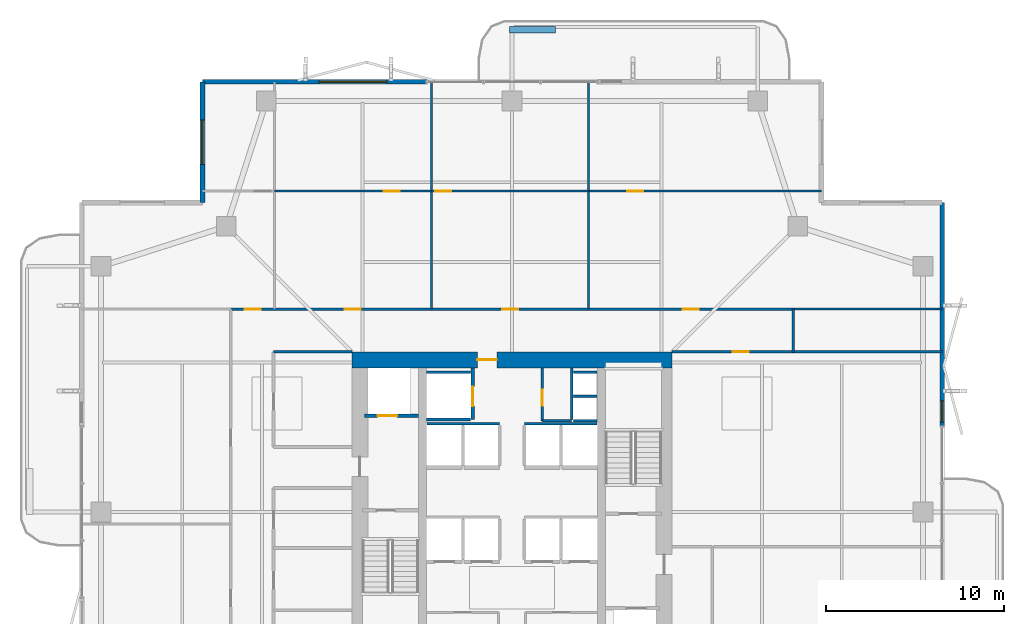
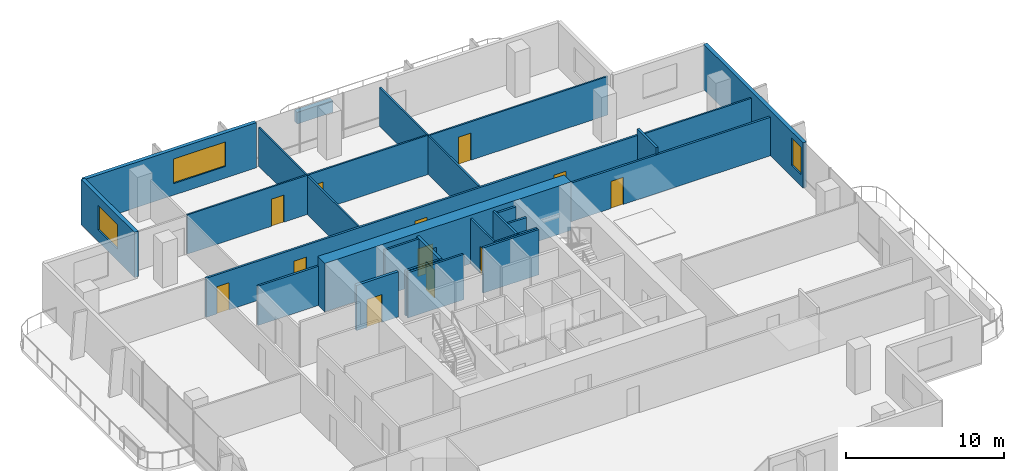
# One storey, part 21 of 25: 27 walls, 12 doors, 3 windows, 15 openings.
"""IFC4 building model written with IfcOpenShell, lengths in metres."""

from ifc_helpers import new_model, si_unit, direction, frame, frame_2d, origin, place, context, subcontext, project, spatial, rectangle, extrude, material, layer, layer_set, type_object, element, fill, save


model = new_model("IFC4")

# Units and contexts
model_context = context("Model", 3, precision=1e-05, world=origin(), true_north=direction((0.0, 1.0)))
body_context = subcontext(model_context, "Body", "Model", "MODEL_VIEW")
ifc_project = project(units=[si_unit("LENGTHUNIT", "METRE"), si_unit("AREAUNIT", "SQUARE_METRE"), si_unit("VOLUMEUNIT", "CUBIC_METRE"), si_unit("PLANEANGLEUNIT", "RADIAN"), si_unit("MASSUNIT", "GRAM", prefix="KILO")], contexts=[model_context])

# Site, building, storey
site_placement = place(None, origin())
site = spatial("IfcSite", under=ifc_project, at=site_placement, CompositionType="ELEMENT")
building_placement = place(site_placement, origin())
building = spatial("IfcBuilding", under=site, at=building_placement, Name="Belovzor Exchange Tower", CompositionType="ELEMENT")
storey_placement = place(building_placement, frame((0.0, 0.0, 183.300048828125)))
storey = spatial("IfcBuildingStorey", under=building, at=storey_placement, Name="L45", CompositionType="ELEMENT", Elevation=183.300048828125)

# Wall, opening, door
ifc_material_1 = material(Name="Acoustic Plasterboard on Galvanised Studs", Category="gypsum")
ifc_layer_1 = layer(ifc_material_1, 0.1201171875)
ifc_layer_set_1 = layer_set([ifc_layer_1], Name="Acoustic Plasterboard on Galvanised Studs")
wall_type_1 = type_object("IfcWallType", Name="Acoustic Double-Stud Partition Wall 120", PredefinedType="PARTITIONING", material=ifc_layer_set_1)
wall_1_placement = place(storey_placement, frame((15.443115234375, 46.833984375, 0.0), z_axis=(0.0, 0.0, 1.0), x_axis=(1.0, 0.0, 0.0)))
wall_1 = element("IfcWall", 1, at=wall_1_placement, inside=storey, type_object=wall_type_1, Name="W-P120 Partition Wall W-L45-NHDIV-1", PredefinedType="PARTITIONING", context=body_context, shape_type="SweptSolid", body=[
    extrude(rectangle(XDim=8.830810546875, YDim=0.1201171875, at=frame_2d((4.41552734375, 0.0))), origin(), (0.0, 0.0, 1.0), 3.030029296875),
])
opening_1_placement = place(wall_1_placement, frame((6.162109375, 0.0, 0.0)))
opening_1 = element("IfcOpeningElement", 2, at=opening_1_placement, cuts=wall_1, Name="Opening D-INT-090", PredefinedType="OPENING", context=body_context, shape_type="SweptSolid", body=[
    extrude(rectangle(XDim=0.89990234375, YDim=2.10009765625, at=frame_2d((0.449951171875, 1.050048828125))), frame((0.0, 0.070068359375, 0.0), z_axis=(0.0, -1.0, 0.0), x_axis=(1.0, 0.0, 0.0)), (0.0, 0.0, 1.0), 0.14013671875),
])
ifc_material_2 = material(Name="Veneered Hardwood Acoustic Leaf", Category="wood")
door_type_1 = type_object("IfcDoorType", Name="Trading Suite Acoustic Single Door 900x2100", OperationType="NOTDEFINED", PredefinedType="DOOR", material=ifc_material_2)
door_1_placement = place(opening_1_placement, origin())
door_1 = element("IfcDoor", 3, at=door_1_placement, inside=storey, type_object=door_type_1, Name="D-INT-090 Trading Suite Acoustic Single Door 900x2100", OperationType="SINGLE_SWING_RIGHT", OverallHeight=2.10009765625, OverallWidth=0.89990234375, PredefinedType="DOOR", context=body_context, shape_type="SweptSolid", body=[
    extrude(rectangle(XDim=0.89990234375, YDim=2.10009765625, at=frame_2d((0.449951171875, 1.050048828125))), frame((0.0, 0.02490234375, 0.0), z_axis=(0.0, -1.0, 0.0), x_axis=(1.0, 0.0, 0.0)), (0.0, 0.0, 1.0), 0.050048828125),
])
fill(opening_1, door_1)

# Wall
wall_2_placement = place(storey_placement, frame((24.27392578125, 40.199951171875, 0.0), z_axis=(0.0, 0.0, 1.0), x_axis=(0.0, 1.0, 0.0)))
element("IfcWall", 4, at=wall_2_placement, inside=storey, type_object=wall_type_1, Name="W-P120 Partition Wall W-L45-NDIV-2", PredefinedType="PARTITIONING", context=body_context, shape_type="SweptSolid", body=[
    extrude(rectangle(XDim=12.77001953125, YDim=0.1201171875, at=frame_2d((6.385009765625, 0.0))), origin(), (0.0, 0.0, 1.0), 2.97998046875),
])

# Wall, opening, door
wall_3_placement = place(storey_placement, frame((24.27392578125, 46.833984375, 0.0), z_axis=(0.0, 0.0, 1.0), x_axis=(1.0, 0.0, 0.0)))
wall_3 = element("IfcWall", 5, at=wall_3_placement, inside=storey, type_object=wall_type_1, Name="W-P120 Partition Wall W-L45-NHDIV-2", PredefinedType="PARTITIONING", context=body_context, shape_type="SweptSolid", body=[
    extrude(rectangle(XDim=8.8310546875, YDim=0.1201171875, at=frame_2d((4.41552734375, 0.0))), origin(), (0.0, 0.0, 1.0), 3.030029296875),
])
opening_2_placement = place(wall_3_placement, frame((0.199951171875, 0.0, 0.0)))
opening_2 = element("IfcOpeningElement", 6, at=opening_2_placement, cuts=wall_3, Name="Opening D-INT-090", PredefinedType="OPENING", context=body_context, shape_type="SweptSolid", body=[
    extrude(rectangle(XDim=0.89990234375, YDim=2.10009765625, at=frame_2d((0.449951171875, 1.050048828125))), frame((0.0, 0.070068359375, 0.0), z_axis=(0.0, -1.0, 0.0), x_axis=(1.0, 0.0, 0.0)), (0.0, 0.0, 1.0), 0.14013671875),
])
door_2_placement = place(opening_2_placement, origin())
door_2 = element("IfcDoor", 7, at=door_2_placement, inside=storey, type_object=door_type_1, Name="D-INT-090 Trading Suite Acoustic Single Door 900x2100", OperationType="SINGLE_SWING_RIGHT", OverallHeight=2.10009765625, OverallWidth=0.89990234375, PredefinedType="DOOR", context=body_context, shape_type="SweptSolid", body=[
    extrude(rectangle(XDim=0.89990234375, YDim=2.10009765625, at=frame_2d((0.449951171875, 1.050048828125))), frame((0.0, 0.02490234375, 0.0), z_axis=(0.0, -1.0, 0.0), x_axis=(1.0, 0.0, 0.0)), (0.0, 0.0, 1.0), 0.050048828125),
])
fill(opening_2, door_2)

# Wall
wall_4_placement = place(storey_placement, frame((33.10498046875, 40.199951171875, 0.0), z_axis=(0.0, 0.0, 1.0), x_axis=(0.0, 1.0, 0.0)))
element("IfcWall", 8, at=wall_4_placement, inside=storey, type_object=wall_type_1, Name="W-P120 Partition Wall W-L45-NDIV-3", PredefinedType="PARTITIONING", context=body_context, shape_type="SweptSolid", body=[
    extrude(rectangle(XDim=12.77001953125, YDim=0.1201171875, at=frame_2d((6.385009765625, 0.0))), origin(), (0.0, 0.0, 1.0), 2.97998046875),
])

# Wall, opening, door
wall_5_placement = place(storey_placement, frame((33.10498046875, 46.833984375, 0.0), z_axis=(0.0, 0.0, 1.0), x_axis=(1.0, 0.0, 0.0)))
wall_5 = element("IfcWall", 9, at=wall_5_placement, inside=storey, type_object=wall_type_1, Name="W-P120 Partition Wall W-L45-NHDIV-3", PredefinedType="PARTITIONING", context=body_context, shape_type="SweptSolid", body=[
    extrude(rectangle(XDim=13.094970703125, YDim=0.1201171875, at=frame_2d((6.54736328125, 0.0))), origin(), (0.0, 0.0, 1.0), 2.97998046875),
])
opening_3_placement = place(wall_5_placement, frame((2.166015625, 0.0, 0.0)))
opening_3 = element("IfcOpeningElement", 10, at=opening_3_placement, cuts=wall_5, Name="Opening D-INT-090", PredefinedType="OPENING", context=body_context, shape_type="SweptSolid", body=[
    extrude(rectangle(XDim=0.89990234375, YDim=2.10009765625, at=frame_2d((0.449951171875, 1.050048828125))), frame((0.0, 0.070068359375, 0.0), z_axis=(0.0, -1.0, 0.0), x_axis=(1.0, 0.0, 0.0)), (0.0, 0.0, 1.0), 0.14013671875),
])
door_3_placement = place(opening_3_placement, origin())
door_3 = element("IfcDoor", 11, at=door_3_placement, inside=storey, type_object=door_type_1, Name="D-INT-090 Trading Suite Acoustic Single Door 900x2100", OperationType="SINGLE_SWING_RIGHT", OverallHeight=2.10009765625, OverallWidth=0.89990234375, PredefinedType="DOOR", context=body_context, shape_type="SweptSolid", body=[
    extrude(rectangle(XDim=0.89990234375, YDim=2.10009765625, at=frame_2d((0.449951171875, 1.050048828125))), frame((0.0, 0.02490234375, 0.0), z_axis=(0.0, -1.0, 0.0), x_axis=(1.0, 0.0, 0.0)), (0.0, 0.0, 1.0), 0.050048828125),
])
fill(opening_3, door_3)

# Wall
wall_6_placement = place(storey_placement, frame((44.60009765625, 40.199951171875, 0.0), z_axis=(0.0, 0.0, 1.0), x_axis=(1.0, 0.0, 0.0)))
element("IfcWall", 12, at=wall_6_placement, inside=storey, type_object=wall_type_1, Name="W-P120 Partition Wall W-L45-END-NE", PredefinedType="PARTITIONING", context=body_context, shape_type="SweptSolid", body=[
    extrude(rectangle(XDim=8.369873046875, YDim=0.1201171875, at=frame_2d((4.18505859375, 0.0))), origin(), (0.0, 0.0, 1.0), 2.97998046875),
])

# Wall, opening, door
ifc_material_3 = material(Name="Fire-Rated Plasterboard on Galvanised Studs", Category="gypsum")
ifc_layer_2 = layer(ifc_material_3, 0.1201171875)
ifc_layer_set_2 = layer_set([ifc_layer_2], Name="Fire-Rated Plasterboard on Galvanised Studs")
wall_type_2 = type_object("IfcWallType", Name="Fire-Rated Double-Stud Partition Wall 120", PredefinedType="PARTITIONING", material=ifc_layer_set_2)
wall_7_placement = place(storey_placement, frame((30.5, 33.925048828125, 0.0), z_axis=(0.0, 0.0, 1.0), x_axis=(0.0, 1.0, 0.0)))
wall_7 = element("IfcWall", 13, at=wall_7_placement, inside=storey, type_object=wall_type_2, Name="W-P120F Partition Wall W-CRV-L45-W", PredefinedType="PARTITIONING", context=body_context, shape_type="SweptSolid", body=[
    extrude(rectangle(XDim=2.974853515625, YDim=0.1201171875, at=frame_2d((1.4873046875, 0.0))), origin(), (0.0, 0.0, 1.0), 3.494873046875),
])
opening_4_placement = place(wall_7_placement, frame((0.85009765625, 0.0, 0.0)))
opening_4 = element("IfcOpeningElement", 14, at=opening_4_placement, cuts=wall_7, Name="Opening D-FD60-090", PredefinedType="OPENING", context=body_context, shape_type="SweptSolid", body=[
    extrude(rectangle(XDim=0.89990234375, YDim=2.10009765625, at=frame_2d((0.449951171875, 1.050048828125))), frame((0.0, 0.070068359375, 0.0), z_axis=(0.0, -1.0, 0.0), x_axis=(1.0, 0.0, 0.0)), (0.0, 0.0, 1.0), 0.14013671875),
])
ifc_material_4 = material(Name="Acoustic Timber Fire Leaf", Category="wood")
door_type_2 = type_object("IfcDoorType", Name="Core Service & Restroom Fire Door 900x2100", OperationType="NOTDEFINED", PredefinedType="DOOR", material=ifc_material_4)
door_4_placement = place(opening_4_placement, origin())
door_4 = element("IfcDoor", 15, at=door_4_placement, inside=storey, type_object=door_type_2, Name="D-FD60-090 Core Service & Restroom Fire Door 900x2100", OperationType="SINGLE_SWING_LEFT", OverallHeight=2.10009765625, OverallWidth=0.89990234375, PredefinedType="DOOR", context=body_context, shape_type="SweptSolid", body=[
    extrude(rectangle(XDim=0.89990234375, YDim=2.10009765625, at=frame_2d((0.449951171875, 1.050048828125))), frame((0.0, 0.02490234375, 0.0), z_axis=(0.0, -1.0, 0.0), x_axis=(1.0, 0.0, 0.0)), (0.0, 0.0, 1.0), 0.050048828125),
])
fill(opening_4, door_4)

# Walls
wall_8_placement = place(storey_placement, frame((30.5, 33.925048828125, 0.0), z_axis=(0.0, 0.0, 1.0), x_axis=(1.0, 0.0, 0.0)))
element("IfcWall", 16, at=wall_8_placement, inside=storey, type_object=wall_type_2, Name="W-P120F Partition Wall W-CRV-L45-S", PredefinedType="PARTITIONING", context=body_context, shape_type="SweptSolid", body=[
    extrude(rectangle(XDim=1.64990234375, YDim=0.1201171875, at=frame_2d((0.824951171875, 0.0))), origin(), (0.0, 0.0, 1.0), 3.494873046875),
])
ifc_material_5 = material(Name="Fire-Rated Gypsum Block and Mineral Wool", Category="gypsum")
ifc_layer_3 = layer(ifc_material_5, 0.14990234375)
ifc_layer_set_3 = layer_set([ifc_layer_3], Name="Fire-Rated Gypsum Block and Mineral Wool")
wall_type_3 = type_object("IfcWallType", Name="Fire-Rated Gypsum Block Corridor Wall 150", PredefinedType="PARTITIONING", material=ifc_layer_set_3)
wall_9_placement = place(storey_placement, frame((15.39990234375, 37.800048828125, 0.0), z_axis=(0.0, 0.0, 1.0), x_axis=(1.0, 0.0, 0.0)))
element("IfcWall", 17, at=wall_9_placement, inside=storey, type_object=wall_type_3, Name="W-P150 Partition Wall W-L45-INW-N", PredefinedType="PARTITIONING", context=body_context, shape_type="SweptSolid", body=[
    extrude(rectangle(XDim=4.400146484375, YDim=0.14990234375, at=frame_2d((2.2001953125, 0.0))), origin(), (0.0, 0.0, 1.0), 3.030029296875),
])
wall_10_placement = place(storey_placement, frame((44.60009765625, 37.800048828125, 0.0), z_axis=(0.0, 0.0, 1.0), x_axis=(0.0, 1.0, 0.0)))
element("IfcWall", 18, at=wall_10_placement, inside=storey, type_object=wall_type_3, Name="W-P150 Partition Wall W-L45-END-EN", PredefinedType="PARTITIONING", context=body_context, shape_type="SweptSolid", body=[
    extrude(rectangle(XDim=2.39990234375, YDim=0.14990234375, at=frame_2d((1.199951171875, 0.0))), origin(), (0.0, 0.0, 1.0), 3.494873046875),
])

# Wall, opening, door
wall_11_placement = place(storey_placement, frame((37.800048828125, 37.800048828125, 0.0), z_axis=(0.0, 0.0, 1.0), x_axis=(1.0, 0.0, 0.0)))
wall_11 = element("IfcWall", 19, at=wall_11_placement, inside=storey, type_object=wall_type_3, Name="W-P150 Partition Wall W-L45-CN-IN", PredefinedType="PARTITIONING", context=body_context, shape_type="SweptSolid", body=[
    extrude(rectangle(XDim=15.169921875, YDim=0.14990234375, at=frame_2d((7.5849609375, 0.0))), origin(), (0.0, 0.0, 1.0), 2.97998046875),
])
opening_5_placement = place(wall_11_placement, frame((3.39990234375, 0.0, 0.0)))
opening_5 = element("IfcOpeningElement", 20, at=opening_5_placement, cuts=wall_11, Name="Opening D-INT-090", PredefinedType="OPENING", context=body_context, shape_type="SweptSolid", body=[
    extrude(rectangle(XDim=0.89990234375, YDim=2.10009765625, at=frame_2d((0.449951171875, 1.050048828125))), frame((0.0, 0.0849609375, 0.0), z_axis=(0.0, -1.0, 0.0), x_axis=(1.0, 0.0, 0.0)), (0.0, 0.0, 1.0), 0.169921875),
])
door_5_placement = place(opening_5_placement, origin())
door_5 = element("IfcDoor", 21, at=door_5_placement, inside=storey, type_object=door_type_1, Name="D-INT-090 Trading Suite Acoustic Single Door 900x2100", OperationType="SINGLE_SWING_RIGHT", OverallHeight=2.10009765625, OverallWidth=0.89990234375, PredefinedType="DOOR", context=body_context, shape_type="SweptSolid", body=[
    extrude(rectangle(XDim=0.89990234375, YDim=2.10009765625, at=frame_2d((0.449951171875, 1.050048828125))), frame((0.0, 0.02490234375, 0.0), z_axis=(0.0, -1.0, 0.0), x_axis=(1.0, 0.0, 0.0)), (0.0, 0.0, 1.0), 0.050048828125),
])
fill(opening_5, door_5)

# Wall, openings, doors
wall_12_placement = place(storey_placement, frame((13.0, 40.199951171875, 0.0), z_axis=(0.0, 0.0, 1.0), x_axis=(1.0, 0.0, 0.0)))
wall_12 = element("IfcWall", 22, at=wall_12_placement, inside=storey, type_object=wall_type_3, Name="W-P150 Partition Wall W-L45-CN", PredefinedType="PARTITIONING", context=body_context, shape_type="SweptSolid", body=[
    extrude(rectangle(XDim=31.60009765625, YDim=0.14990234375, at=frame_2d((15.800048828125, 0.0))), origin(), (0.0, 0.0, 1.0), 3.030029296875),
])
opening_6_placement = place(wall_12_placement, frame((0.77099609375, 0.0, 0.0)))
opening_6 = element("IfcOpeningElement", 23, at=opening_6_placement, cuts=wall_12, Name="Opening D-INT-090", PredefinedType="OPENING", context=body_context, shape_type="SweptSolid", body=[
    extrude(rectangle(XDim=0.89990234375, YDim=2.10009765625, at=frame_2d((0.449951171875, 1.050048828125))), frame((0.0, 0.0849609375, 0.0), z_axis=(0.0, -1.0, 0.0), x_axis=(1.0, 0.0, 0.0)), (0.0, 0.0, 1.0), 0.169921875),
])
opening_7_placement = place(wall_12_placement, frame((6.408935546875, 0.0, 0.0)))
opening_7 = element("IfcOpeningElement", 24, at=opening_7_placement, cuts=wall_12, Name="Opening D-INT-090", PredefinedType="OPENING", context=body_context, shape_type="SweptSolid", body=[
    extrude(rectangle(XDim=0.89990234375, YDim=2.10009765625, at=frame_2d((0.449951171875, 1.050048828125))), frame((0.0, 0.0849609375, 0.0), z_axis=(0.0, -1.0, 0.0), x_axis=(1.0, 0.0, 0.0)), (0.0, 0.0, 1.0), 0.169921875),
])
opening_8_placement = place(wall_12_placement, frame((15.239013671875, 0.0, 0.0)))
opening_8 = element("IfcOpeningElement", 25, at=opening_8_placement, cuts=wall_12, Name="Opening D-INT-090", PredefinedType="OPENING", context=body_context, shape_type="SweptSolid", body=[
    extrude(rectangle(XDim=0.89990234375, YDim=2.10009765625, at=frame_2d((0.449951171875, 1.050048828125))), frame((0.0, 0.0849609375, 0.0), z_axis=(0.0, -1.0, 0.0), x_axis=(1.0, 0.0, 0.0)), (0.0, 0.0, 1.0), 0.169921875),
])
opening_9_placement = place(wall_12_placement, frame((25.402099609375, 0.0, 0.0)))
opening_9 = element("IfcOpeningElement", 26, at=opening_9_placement, cuts=wall_12, Name="Opening D-INT-090", PredefinedType="OPENING", context=body_context, shape_type="SweptSolid", body=[
    extrude(rectangle(XDim=0.89990234375, YDim=2.10009765625, at=frame_2d((0.449951171875, 1.050048828125))), frame((0.0, 0.0849609375, 0.0), z_axis=(0.0, -1.0, 0.0), x_axis=(1.0, 0.0, 0.0)), (0.0, 0.0, 1.0), 0.169921875),
])
door_6_placement = place(opening_6_placement, origin())
door_6 = element("IfcDoor", 27, at=door_6_placement, inside=storey, type_object=door_type_1, Name="D-INT-090 Trading Suite Acoustic Single Door 900x2100", OperationType="SINGLE_SWING_RIGHT", OverallHeight=2.10009765625, OverallWidth=0.89990234375, PredefinedType="DOOR", context=body_context, shape_type="SweptSolid", body=[
    extrude(rectangle(XDim=0.89990234375, YDim=2.10009765625, at=frame_2d((0.449951171875, 1.050048828125))), frame((0.0, 0.02490234375, 0.0), z_axis=(0.0, -1.0, 0.0), x_axis=(1.0, 0.0, 0.0)), (0.0, 0.0, 1.0), 0.050048828125),
])
fill(opening_6, door_6)
door_7_placement = place(opening_7_placement, origin())
door_7 = element("IfcDoor", 28, at=door_7_placement, inside=storey, type_object=door_type_1, Name="D-INT-090 Trading Suite Acoustic Single Door 900x2100", OperationType="SINGLE_SWING_LEFT", OverallHeight=2.10009765625, OverallWidth=0.89990234375, PredefinedType="DOOR", context=body_context, shape_type="SweptSolid", body=[
    extrude(rectangle(XDim=0.89990234375, YDim=2.10009765625, at=frame_2d((0.449951171875, 1.050048828125))), frame((0.0, 0.02490234375, 0.0), z_axis=(0.0, -1.0, 0.0), x_axis=(1.0, 0.0, 0.0)), (0.0, 0.0, 1.0), 0.050048828125),
])
fill(opening_7, door_7)
door_8_placement = place(opening_8_placement, origin())
door_8 = element("IfcDoor", 29, at=door_8_placement, inside=storey, type_object=door_type_1, Name="D-INT-090 Trading Suite Acoustic Single Door 900x2100", OperationType="SINGLE_SWING_RIGHT", OverallHeight=2.10009765625, OverallWidth=0.89990234375, PredefinedType="DOOR", context=body_context, shape_type="SweptSolid", body=[
    extrude(rectangle(XDim=0.89990234375, YDim=2.10009765625, at=frame_2d((0.449951171875, 1.050048828125))), frame((0.0, 0.02490234375, 0.0), z_axis=(0.0, -1.0, 0.0), x_axis=(1.0, 0.0, 0.0)), (0.0, 0.0, 1.0), 0.050048828125),
])
fill(opening_8, door_8)
door_9_placement = place(opening_9_placement, origin())
door_9 = element("IfcDoor", 30, at=door_9_placement, inside=storey, type_object=door_type_1, Name="D-INT-090 Trading Suite Acoustic Single Door 900x2100", OperationType="SINGLE_SWING_LEFT", OverallHeight=2.10009765625, OverallWidth=0.89990234375, PredefinedType="DOOR", context=body_context, shape_type="SweptSolid", body=[
    extrude(rectangle(XDim=0.89990234375, YDim=2.10009765625, at=frame_2d((0.449951171875, 1.050048828125))), frame((0.0, 0.02490234375, 0.0), z_axis=(0.0, -1.0, 0.0), x_axis=(1.0, 0.0, 0.0)), (0.0, 0.0, 1.0), 0.050048828125),
])
fill(opening_9, door_9)

# Wall, opening, window
ifc_material_6 = material(Name="Precast concrete C40/50", Category="concrete")
ifc_layer_4 = layer(ifc_material_6, 0.280029296875)
ifc_layer_set_4 = layer_set([ifc_layer_4], Name="Precast concrete C40/50")
wall_type_4 = type_object("IfcWallType", Name="Precast Concrete Notched Corner Frame Wall 280", PredefinedType="SOLIDWALL", material=ifc_layer_set_4)
wall_13_placement = place(storey_placement, frame((11.39990234375, 46.199951171875, 0.0), z_axis=(0.0, 0.0, 1.0), x_axis=(0.0, 1.0, 0.0)))
wall_13 = element("IfcWall", 31, at=wall_13_placement, inside=storey, type_object=wall_type_4, Name="W-CRN280 Precast Concrete Notched Corner Frame Wall 280 L45", PredefinedType="SOLIDWALL", context=body_context, shape_type="SweptSolid", body=[
    extrude(rectangle(XDim=6.77001953125, YDim=0.280029296875, at=frame_2d((3.385009765625, 0.0))), origin(), (0.0, 0.0, 1.0), 3.494873046875),
])
opening_10_placement = place(wall_13_placement, frame((2.135009765625, 0.0, 0.89990234375)))
opening_10 = element("IfcOpeningElement", 32, at=opening_10_placement, cuts=wall_13, Name="Opening WN-CRN250", PredefinedType="OPENING", context=body_context, shape_type="SweptSolid", body=[
    extrude(rectangle(XDim=2.5, YDim=1.89990234375, at=frame_2d((1.25, 0.949951171875))), frame((0.0, 0.14990234375, 0.0), z_axis=(0.0, -1.0, 0.0), x_axis=(1.0, 0.0, 0.0)), (0.0, 0.0, 1.0), 0.300048828125),
])
ifc_material_7 = material(Name="Thermally Broken Aluminium and Triple Glazing", Category="aluminium")
window_type_1 = type_object("IfcWindowType", Name="Streamline Moderne Corner Wrap Ribbon Window 2500x1900", PartitioningType="SINGLE_PANEL", PredefinedType="WINDOW", material=ifc_material_7)
window_1_placement = place(opening_10_placement, origin())
window_1 = element("IfcWindow", 33, at=window_1_placement, inside=storey, type_object=window_type_1, Name="WN-CRN250 Streamline Moderne Corner Wrap Ribbon Window 2500x1900", OverallHeight=1.89990234375, OverallWidth=2.5, PartitioningType="SINGLE_PANEL", PredefinedType="WINDOW", context=body_context, shape_type="SweptSolid", body=[
    extrude(rectangle(XDim=2.5, YDim=1.89990234375, at=frame_2d((1.25, 0.949951171875))), frame((0.0, 0.030029296875, 0.0), z_axis=(0.0, -1.0, 0.0), x_axis=(1.0, 0.0, 0.0)), (0.0, 0.0, 1.0), 0.06005859375),
])
fill(opening_10, window_1)

ifc_material_8 = material(Name="Precast concrete C40/50", Category="concrete")
ifc_layer_5 = layer(ifc_material_8, 0.260009765625)
ifc_layer_set_5 = layer_set([ifc_layer_5], Name="Precast concrete C40/50")
wall_type_5 = type_object("IfcWallType", Name="Precast Concrete Perimeter Loggia Frame Wall 260", PredefinedType="SOLIDWALL", material=ifc_layer_set_5)
wall_14_placement = place(storey_placement, frame((11.39990234375, 52.969970703125, 0.0), z_axis=(0.0, 0.0, 1.0), x_axis=(1.0, 0.0, 0.0)))
wall_14 = element("IfcWall", 34, at=wall_14_placement, inside=storey, type_object=wall_type_5, Name="W-EXT260 Precast Concrete Perimeter Loggia Frame Wall 260 L45", PredefinedType="SOLIDWALL", context=body_context, shape_type="SweptSolid", body=[
    extrude(rectangle(XDim=12.60009765625, YDim=0.260009765625, at=frame_2d((6.300048828125, 0.0))), origin(), (0.0, 0.0, 1.0), 3.494873046875),
])
opening_11_placement = place(wall_14_placement, frame((6.554931640625, 0.0, 0.89990234375)))
opening_11 = element("IfcOpeningElement", 35, at=opening_11_placement, cuts=wall_14, Name="Opening WN-RIB380", PredefinedType="OPENING", context=body_context, shape_type="SweptSolid", body=[
    extrude(rectangle(XDim=3.800048828125, YDim=1.89990234375, at=frame_2d((1.89990234375, 0.949951171875))), frame((0.0, 0.139892578125, 0.0), z_axis=(0.0, -1.0, 0.0), x_axis=(1.0, 0.0, 0.0)), (0.0, 0.0, 1.0), 0.280029296875),
])
ifc_material_9 = material(Name="Thermally Broken Aluminium and Triple Glazing", Category="aluminium")
window_type_2 = type_object("IfcWindowType", Name="Streamline Moderne Horizontal Ribbon Window 3800x1900", PartitioningType="SINGLE_PANEL", PredefinedType="WINDOW", material=ifc_material_9)
window_2_placement = place(opening_11_placement, origin())
window_2 = element("IfcWindow", 36, at=window_2_placement, inside=storey, type_object=window_type_2, Name="WN-RIB380 Streamline Moderne Horizontal Ribbon Window 3800x1900", OverallHeight=1.89990234375, OverallWidth=3.800048828125, PartitioningType="SINGLE_PANEL", PredefinedType="WINDOW", context=body_context, shape_type="SweptSolid", body=[
    extrude(rectangle(XDim=3.800048828125, YDim=1.89990234375, at=frame_2d((1.89990234375, 0.949951171875))), frame((0.0, 0.030029296875, 0.0), z_axis=(0.0, -1.0, 0.0), x_axis=(1.0, 0.0, 0.0)), (0.0, 0.0, 1.0), 0.06005859375),
])
fill(opening_11, window_2)

wall_15_placement = place(storey_placement, frame((52.969970703125, 46.199951171875, 0.0), z_axis=(0.0, 0.0, 1.0), x_axis=(0.0, -1.0, 0.0)))
wall_15 = element("IfcWall", 37, at=wall_15_placement, inside=storey, type_object=wall_type_5, Name="W-EXT260 Precast Concrete Perimeter Loggia Frame Wall 260 L45", PredefinedType="SOLIDWALL", context=body_context, shape_type="SweptSolid", body=[
    extrude(rectangle(XDim=12.599853515625, YDim=0.260009765625, at=frame_2d((6.2998046875, 0.0))), origin(), (0.0, 0.0, 1.0), 3.494873046875),
])
opening_12_placement = place(wall_15_placement, frame((11.14990234375, 0.0, 0.89990234375)))
opening_12 = element("IfcOpeningElement", 38, at=opening_12_placement, cuts=wall_15, Name="Opening WN-CRN120", PredefinedType="OPENING", context=body_context, shape_type="SweptSolid", body=[
    extrude(rectangle(XDim=1.199951171875, YDim=2.10009765625, at=frame_2d((0.60009765625, 1.050048828125))), frame((0.0, 0.139892578125, 0.0), z_axis=(0.0, -1.0, 0.0), x_axis=(1.0, 0.0, 0.0)), (0.0, 0.0, 1.0), 0.280029296875),
])
ifc_material_10 = material(Name="Thermally Broken Aluminium and Triple Glazing", Category="aluminium")
window_type_3 = type_object("IfcWindowType", Name="Streamline Notched Corner Window 1200x2100", PartitioningType="SINGLE_PANEL", PredefinedType="WINDOW", material=ifc_material_10)
window_3_placement = place(opening_12_placement, origin())
window_3 = element("IfcWindow", 39, at=window_3_placement, inside=storey, type_object=window_type_3, Name="WN-CRN120 Streamline Notched Corner Window 1200x2100", OverallHeight=2.10009765625, OverallWidth=1.199951171875, PartitioningType="SINGLE_PANEL", PredefinedType="WINDOW", context=body_context, shape_type="SweptSolid", body=[
    extrude(rectangle(XDim=1.199951171875, YDim=2.10009765625, at=frame_2d((0.60009765625, 1.050048828125))), frame((0.0, 0.030029296875, 0.0), z_axis=(0.0, -1.0, 0.0), x_axis=(1.0, 0.0, 0.0)), (0.0, 0.0, 1.0), 0.06005859375),
])
fill(opening_12, window_3)

# Walls
ifc_material_11 = material(Name="Precast concrete C40/50", Category="concrete")
ifc_layer_6 = layer(ifc_material_11, 0.35009765625)
ifc_layer_set_6 = layer_set([ifc_layer_6], Name="Precast concrete C40/50")
wall_type_6 = type_object("IfcWallType", Name="Precast Concrete Structural Tree Planter Trough 350", PredefinedType="PARAPET", material=ifc_layer_set_6)
wall_16_placement = place(storey_placement, frame((28.64990234375, 55.89990234375, 0.0), z_axis=(0.0, 0.0, 1.0), x_axis=(1.0, 0.0, 0.0)))
element("IfcWall", 40, at=wall_16_placement, inside=storey, type_object=wall_type_6, Name="PT-350 Precast Concrete Structural Tree Planter Trough 350 L45", PredefinedType="PARAPET", context=body_context, shape_type="SweptSolid", body=[
    extrude(rectangle(XDim=2.60009765625, YDim=0.35009765625, at=frame_2d((1.300048828125, 0.0))), origin(), (0.0, 0.0, 1.0), 0.89990234375),
])
ifc_material_12 = material(Name="Concrete C50/60", Category="concrete")
ifc_layer_7 = layer(ifc_material_12, 0.14990234375)
ifc_layer_set_7 = layer_set([ifc_layer_7], Name="Concrete C50/60")
wall_type_7 = type_object("IfcWallType", Name="Reinforced Concrete Core Riser Shear Wall 150", PredefinedType="SHEAR", material=ifc_layer_set_7)
wall_17_placement = place(storey_placement, frame((32.14990234375, 34.0, 0.0), z_axis=(0.0, 0.0, 1.0), x_axis=(0.0, 1.0, 0.0)))
element("IfcWall", 41, at=wall_17_placement, inside=storey, type_object=wall_type_7, Name="W-C150S Core Shaft Wall W-RSR-L45-E", PredefinedType="SHEAR", context=body_context, shape_type="SweptSolid", body=[
    extrude(rectangle(XDim=2.89990234375, YDim=0.14990234375, at=frame_2d((1.449951171875, 0.0))), origin(), (0.0, 0.0, 1.0), 3.494873046875),
])
for number, where, z_axis, x_axis, name in (
    (42, (32.25, 33.925048828125, 0.0), (0.0, 0.0, 1.0), (1.0, 0.0, 0.0), "W-C150S Core Shaft Wall W-RSR-L45-S"),
    (43, (32.25, 35.300048828125, 0.0), (0.0, 0.0, 1.0), (1.0, 0.0, 0.0), "W-C150S Core Shaft Wall W-RSR-L45-M"),
):
    element("IfcWall", number, at=place(storey_placement, frame(where, z_axis=z_axis, x_axis=x_axis)), inside=storey, type_object=wall_type_7, Name=name, PredefinedType="SHEAR", context=body_context, shape_type="SweptSolid", body=[
        extrude(rectangle(XDim=1.330078125, YDim=0.14990234375, at=frame_2d((0.6650390625, 0.0))), origin(), (0.0, 0.0, 1.0), 3.494873046875),
    ])
for number, where, z_axis, x_axis, name in (
    (44, (24.0, 34.0, 0.0), (0.0, 0.0, 1.0), (1.0, 0.0, 0.0), "W-C150S Core Shaft Wall W-SH-L45-SL-01S"),
    (45, (24.0, 36.64990234375, 0.0), (0.0, 0.0, 1.0), (1.0, 0.0, 0.0), "W-C150S Core Shaft Wall W-SH-L45-SL-01N"),
):
    element("IfcWall", number, at=place(storey_placement, frame(where, z_axis=z_axis, x_axis=x_axis)), inside=storey, type_object=wall_type_7, Name=name, PredefinedType="SHEAR", context=body_context, shape_type="SweptSolid", body=[
        extrude(rectangle(XDim=2.47998046875, YDim=0.14990234375, at=frame_2d((1.239990234375, 0.0))), origin(), (0.0, 0.0, 1.0), 3.494873046875),
    ])
wall_18_placement = place(storey_placement, frame((32.25, 36.64990234375, 0.0), z_axis=(0.0, 0.0, 1.0), x_axis=(1.0, 0.0, 0.0)))
element("IfcWall", 46, at=wall_18_placement, inside=storey, type_object=wall_type_7, Name="W-C150S Core Shaft Wall W-RSR-L45-N", PredefinedType="SHEAR", context=body_context, shape_type="SweptSolid", body=[
    extrude(rectangle(XDim=1.330078125, YDim=0.14990234375, at=frame_2d((0.6650390625, 0.0))), origin(), (0.0, 0.0, 1.0), 3.494873046875),
])
for number, where, z_axis, x_axis, name in (
    (47, (24.02001953125, 33.760009765625, 0.0), (0.0, 0.0, 1.0), (1.0, 0.0, 0.0), "W-C150S Core Shaft Wall W-SHB-L45-PLH-NW"),
    (48, (29.5, 33.760009765625, 0.0), (0.0, 0.0, 1.0), (1.0, 0.0, 0.0), "W-C150S Core Shaft Wall W-SHB-L45-PLH-NE"),
):
    element("IfcWall", number, at=place(storey_placement, frame(where, z_axis=z_axis, x_axis=x_axis)), inside=storey, type_object=wall_type_7, Name=name, PredefinedType="SHEAR", context=body_context, shape_type="SweptSolid", body=[
        extrude(rectangle(XDim=4.080078125, YDim=0.14990234375, at=frame_2d((2.0400390625, 0.0))), origin(), (0.0, 0.0, 1.0), 3.494873046875),
    ])

# Wall, opening, door
ifc_material_13 = material(Name="Concrete C50/60", Category="concrete")
ifc_layer_8 = layer(ifc_material_13, 0.199951171875)
ifc_layer_set_8 = layer_set([ifc_layer_8], Name="Concrete C50/60")
wall_type_8 = type_object("IfcWallType", Name="Reinforced Concrete Core Shaft Shear Wall 200", PredefinedType="SHEAR", material=ifc_layer_set_8)
wall_19_placement = place(storey_placement, frame((20.5, 34.199951171875, 0.0), z_axis=(0.0, 0.0, 1.0), x_axis=(1.0, 0.0, 0.0)))
wall_19 = element("IfcWall", 49, at=wall_19_placement, inside=storey, type_object=wall_type_8, Name="W-C200S Core Shaft Wall W-SH-L45-FFL-01", PredefinedType="SHEAR", context=body_context, shape_type="SweptSolid", body=[
    extrude(rectangle(XDim=3.050048828125, YDim=0.199951171875, at=frame_2d((1.52490234375, 0.0))), origin(), (0.0, 0.0, 1.0), 3.494873046875),
])
opening_13_placement = place(wall_19_placement, frame((0.75, 0.0, 0.0)))
opening_13 = element("IfcOpeningElement", 50, at=opening_13_placement, cuts=wall_19, Name="Opening LD-110", PredefinedType="OPENING", context=body_context, shape_type="SweptSolid", body=[
    extrude(rectangle(XDim=1.10009765625, YDim=2.14990234375, at=frame_2d((0.550048828125, 1.074951171875))), frame((0.0, 0.10986328125, 0.0), z_axis=(0.0, -1.0, 0.0), x_axis=(1.0, 0.0, 0.0)), (0.0, 0.0, 1.0), 0.219970703125),
])
ifc_material_14 = material(Name="Stainless Steel Grade 304", Category="steel")
door_type_3 = type_object("IfcDoorType", Name="Automated Stainless Steel Lift Landing Door 1100x2150", OperationType="SLIDING_TO_RIGHT", PredefinedType="DOOR", material=ifc_material_14)
door_10_placement = place(opening_13_placement, origin())
door_10 = element("IfcDoor", 51, at=door_10_placement, inside=storey, type_object=door_type_3, Name="LD-110 Automated Stainless Steel Lift Landing Door 1100x2150", OperationType="SLIDING_TO_RIGHT", OverallHeight=2.14990234375, OverallWidth=1.10009765625, PredefinedType="DOOR", context=body_context, shape_type="SweptSolid", body=[
    extrude(rectangle(XDim=1.10009765625, YDim=2.14990234375, at=frame_2d((0.550048828125, 1.074951171875))), frame((0.0, 0.02490234375, 0.0), z_axis=(0.0, -1.0, 0.0), x_axis=(1.0, 0.0, 0.0)), (0.0, 0.0, 1.0), 0.050048828125),
])
fill(opening_13, door_10)

wall_20_placement = place(storey_placement, frame((26.60009765625, 34.0, 0.0), z_axis=(0.0, 0.0, 1.0), x_axis=(0.0, 1.0, 0.0)))
wall_20 = element("IfcWall", 52, at=wall_20_placement, inside=storey, type_object=wall_type_8, Name="W-C200S Core Shaft Wall W-SH-L45-SL-01", PredefinedType="SHEAR", context=body_context, shape_type="SweptSolid", body=[
    extrude(rectangle(XDim=2.89990234375, YDim=0.199951171875, at=frame_2d((1.449951171875, 0.0))), origin(), (0.0, 0.0, 1.0), 3.494873046875),
])
opening_14_placement = place(wall_20_placement, frame((0.75, 0.0, 0.0)))
opening_14 = element("IfcOpeningElement", 53, at=opening_14_placement, cuts=wall_20, Name="Opening LD-110", PredefinedType="OPENING", context=body_context, shape_type="SweptSolid", body=[
    extrude(rectangle(XDim=1.10009765625, YDim=2.14990234375, at=frame_2d((0.550048828125, 1.074951171875))), frame((0.0, 0.10986328125, 0.0), z_axis=(0.0, -1.0, 0.0), x_axis=(1.0, 0.0, 0.0)), (0.0, 0.0, 1.0), 0.219970703125),
])
door_11_placement = place(opening_14_placement, origin())
door_11 = element("IfcDoor", 54, at=door_11_placement, inside=storey, type_object=door_type_3, Name="LD-110 Automated Stainless Steel Lift Landing Door 1100x2150", OperationType="SLIDING_TO_RIGHT", OverallHeight=2.14990234375, OverallWidth=1.10009765625, PredefinedType="DOOR", context=body_context, shape_type="SweptSolid", body=[
    extrude(rectangle(XDim=1.10009765625, YDim=2.14990234375, at=frame_2d((0.550048828125, 1.074951171875))), frame((0.0, 0.02490234375, 0.0), z_axis=(0.0, -1.0, 0.0), x_axis=(1.0, 0.0, 0.0)), (0.0, 0.0, 1.0), 0.050048828125),
])
fill(opening_14, door_11)

ifc_material_15 = material(Name="Concrete C60/75", Category="concrete")
ifc_layer_9 = layer(ifc_material_15, 0.89990234375)
ifc_layer_set_9 = layer_set([ifc_layer_9], Name="Concrete C60/75")
wall_type_9 = type_object("IfcWallType", Name="Reinforced Concrete Core Shear Wall 900", PredefinedType="SHEAR", material=ifc_layer_set_9)
wall_21_placement = place(storey_placement, frame((19.800048828125, 37.35009765625, 0.0), z_axis=(0.0, 0.0, 1.0), x_axis=(1.0, 0.0, 0.0)))
wall_21 = element("IfcWall", 55, at=wall_21_placement, inside=storey, type_object=wall_type_9, Name="CW-S090 Core Shear Wall L45 N", PredefinedType="SHEAR", context=body_context, shape_type="SweptSolid", body=[
    extrude(rectangle(XDim=18.0, YDim=0.89990234375, at=frame_2d((9.0, 0.0))), origin(), (0.0, 0.0, 1.0), 3.75),
])
opening_15_placement = place(wall_21_placement, frame((7.050048828125, 0.0, 0.0)))
opening_15 = element("IfcOpeningElement", 56, at=opening_15_placement, cuts=wall_21, Name="Opening D-FD90-110", PredefinedType="OPENING", context=body_context, shape_type="SweptSolid", body=[
    extrude(rectangle(XDim=1.10009765625, YDim=2.14990234375, at=frame_2d((0.550048828125, 1.074951171875))), frame((0.0, 0.4599609375, 0.0), z_axis=(0.0, -1.0, 0.0), x_axis=(1.0, 0.0, 0.0)), (0.0, 0.0, 1.0), 0.919921875),
])
ifc_material_16 = material(Name="Fire-Rated Galvanised Steel Leaf", Category="steel")
door_type_4 = type_object("IfcDoorType", Name="Protected Escape Vestibule Fire Door 1100x2150", OperationType="NOTDEFINED", PredefinedType="DOOR", material=ifc_material_16)
door_12_placement = place(opening_15_placement, origin())
door_12 = element("IfcDoor", 57, at=door_12_placement, inside=storey, type_object=door_type_4, Name="D-FD90-110 Protected Escape Vestibule Fire Door 1100x2150", OperationType="SINGLE_SWING_RIGHT", OverallHeight=2.14990234375, OverallWidth=1.10009765625, PredefinedType="DOOR", context=body_context, shape_type="SweptSolid", body=[
    extrude(rectangle(XDim=1.10009765625, YDim=2.14990234375, at=frame_2d((0.550048828125, 1.074951171875))), frame((0.0, 0.02490234375, 0.0), z_axis=(0.0, -1.0, 0.0), x_axis=(1.0, 0.0, 0.0)), (0.0, 0.0, 1.0), 0.050048828125),
])
fill(opening_15, door_12)

save(model, "model.ifc")
